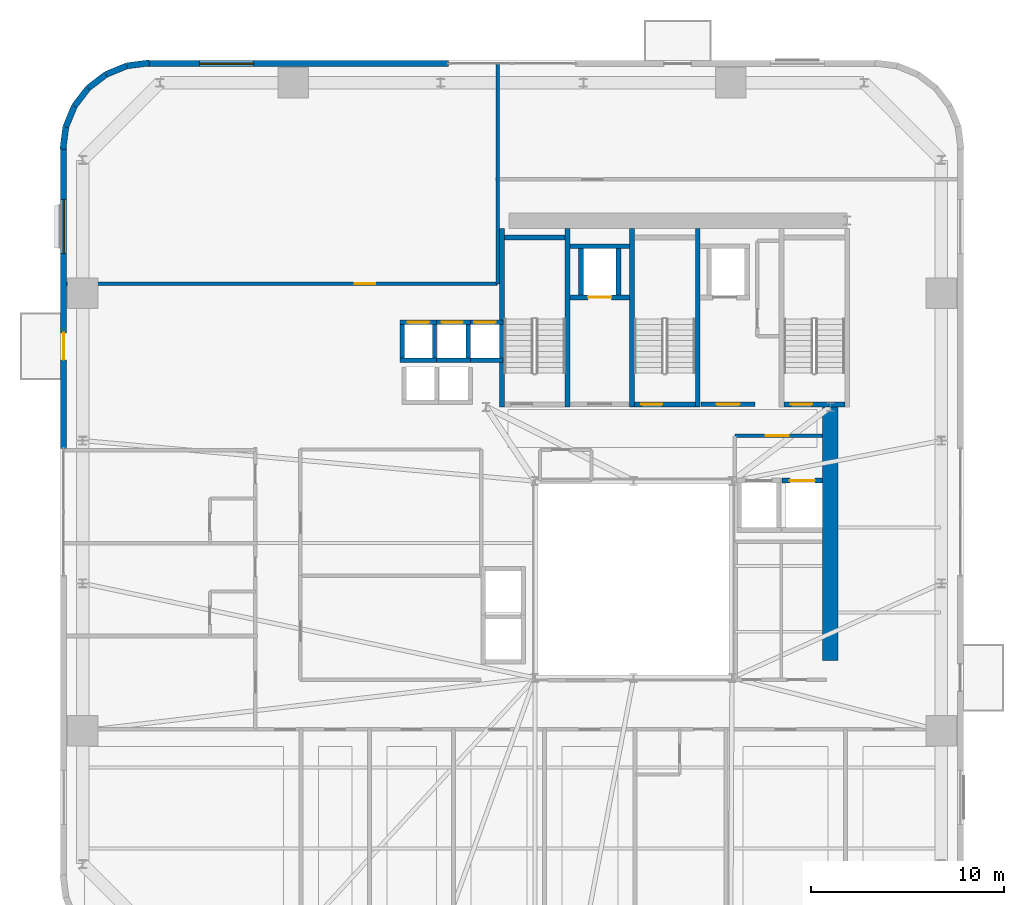
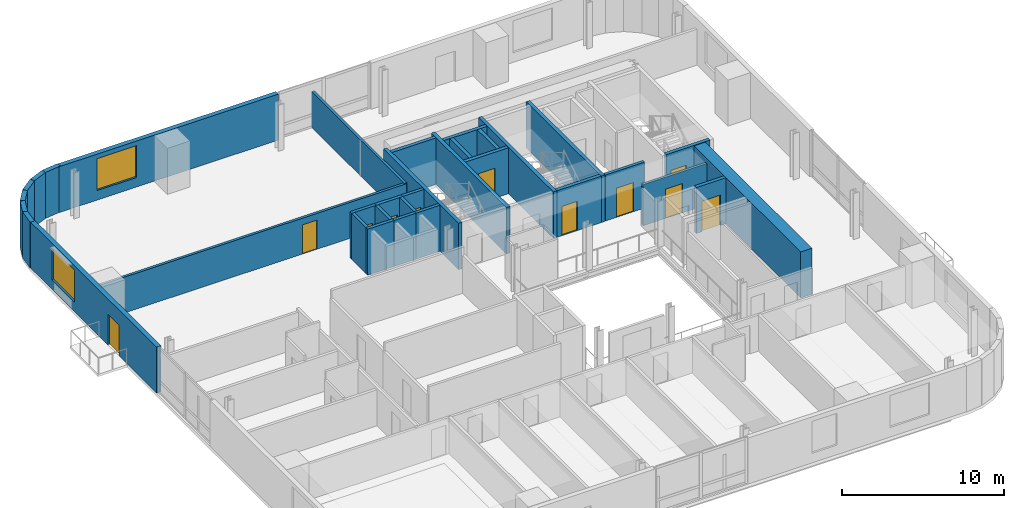
# One storey, part 8 of 11: 34 walls, 11 doors, 2 windows, 13 openings.
"""IFC4 building model written with IfcOpenShell, lengths in metres."""

import ifcopenshell
import ifcopenshell.guid

model = None  # the IFC model being written
_history = None  # IfcOwnerHistory: only IFC2X3 demands one
_inside = {}  # id of a spatial element -> (the spatial element, [elements in it])
_under = {}  # id of a project, library or spatial element -> (it, [spatial elements below it])
_declared = {}  # id of a project -> (the project, [libraries it declares])
_typed = {}  # id of a type object -> (the type object, [elements of that type])
_made_of = {}  # id of a material, layer set ... -> (it, [elements and type objects made of it])


def new_model(schema):
    """Start an empty IFC model of exactly this schema.

    Asked for "IFC4X3", IfcOpenShell would pick the latest addendum, in which some entities
    have other attributes; the version numbers below select the first issue.
    IFC2X3 requires an IfcOwnerHistory on every rooted entity: one is made here for all.
    """
    global model, _history
    if schema == "IFC4X3":
        model = ifcopenshell.file(schema_version=(4, 3, 0, 0))
    else:
        model = ifcopenshell.file(schema=schema)
    _inside.clear()
    _under.clear()
    _declared.clear()
    _typed.clear()
    _made_of.clear()
    _history = None
    if model.schema == "IFC2X3":
        org = make("IfcOrganization", Name="unknown")
        user = make(
            "IfcPersonAndOrganization",
            ThePerson=make("IfcPerson", FamilyName="unknown"),
            TheOrganization=org,
        )
        app = make(
            "IfcApplication",
            ApplicationDeveloper=org,
            Version="unknown",
            ApplicationFullName="unknown",
            ApplicationIdentifier="unknown",
        )
        _history = make(
            "IfcOwnerHistory",
            OwningUser=user,
            OwningApplication=app,
            ChangeAction="ADDED",
            CreationDate=0,
        )
    return model


def make(cls, **values):
    """One entity of the class cls with the attributes given. An attribute that is None is left unset."""
    return model.create_entity(
        cls, **{name: value for name, value in values.items() if value is not None}
    )


def rooted(cls, **values):
    """An entity with a GlobalId (a new one), such as an element, a storey or a relation."""
    return make(cls, GlobalId=ifcopenshell.guid.new(), OwnerHistory=_history, **values)


def si_unit(unit_type, name, prefix=None):
    """IfcSIUnit, for example si_unit("LENGTHUNIT", "METRE", prefix="MILLI")."""
    return make("IfcSIUnit", UnitType=unit_type, Prefix=prefix, Name=name)


def assignment(units):
    """IfcUnitAssignment: the units of a project."""
    return None if units is None else make("IfcUnitAssignment", Units=units)


def point(xyz):
    """IfcCartesianPoint."""
    return None if xyz is None else make("IfcCartesianPoint", Coordinates=xyz)


def direction(xyz):
    """IfcDirection."""
    return None if xyz is None else make("IfcDirection", DirectionRatios=xyz)


def frame(location, z_axis=None, x_axis=None):
    """IfcAxis2Placement3D, a coordinate frame: its origin and axes. An axis left out is left unset."""
    return make(
        "IfcAxis2Placement3D",
        Location=point(location),
        Axis=direction(z_axis),
        RefDirection=direction(x_axis),
    )


def frame_2d(location, x_axis=None):
    """IfcAxis2Placement2D, a coordinate frame in the plane: its origin and x axis."""
    return make(
        "IfcAxis2Placement2D", Location=point(location), RefDirection=direction(x_axis)
    )


def origin():
    """The frame at (0, 0, 0) with its axes left unset."""
    return frame((0.0, 0.0, 0.0))


def place(relative_to, where):
    """IfcLocalPlacement: puts the frame where relative to a parent placement (None: the world)."""
    return make(
        "IfcLocalPlacement", PlacementRelTo=relative_to, RelativePlacement=where
    )


def context(
    kind, dimensions, precision=None, world=None, true_north=None, identifier=None
):
    """IfcGeometricRepresentationContext, for example the 3D "Model" context."""
    return make(
        "IfcGeometricRepresentationContext",
        ContextIdentifier=identifier,
        ContextType=kind,
        CoordinateSpaceDimension=dimensions,
        Precision=precision,
        WorldCoordinateSystem=world,
        TrueNorth=true_north,
    )


def subcontext(parent, identifier, kind, view, scale=None):
    """IfcGeometricRepresentationSubContext, for example "Body" below "Model"."""
    return make(
        "IfcGeometricRepresentationSubContext",
        ContextIdentifier=identifier,
        ContextType=kind,
        ParentContext=parent,
        TargetScale=scale,
        TargetView=view,
    )


def project(units=None, contexts=None):
    """IfcProject with its units and contexts."""
    return rooted(
        "IfcProject",
        Name="project",
        RepresentationContexts=contexts,
        UnitsInContext=assignment(units),
    )


def spatial(cls, under=None, at=None, **own):
    """A site, building, storey or space (cls), placed at a placement, below another one or the project."""
    s = rooted(cls, ObjectPlacement=at, **own)
    if under is not None:
        _under.setdefault(under.id(), (under, []))[1].append(s)
    return s


def profile(cls, at=None, kind="AREA", **sizes):
    """A parametric profile (cls). Its sizes go by their IFC names, for example OverallWidth=200.0."""
    return make(cls, ProfileType=kind, Position=at, **sizes)


def rectangle(**sizes):
    """IfcRectangleProfileDef."""
    return profile("IfcRectangleProfileDef", **sizes)


def extrude(swept, where, along, depth):
    """IfcExtrudedAreaSolid: the profile swept, set in the frame where, extruded along a direction by depth."""
    return make(
        "IfcExtrudedAreaSolid",
        SweptArea=swept,
        Position=where,
        ExtrudedDirection=direction(along),
        Depth=depth,
    )


def shape(context_of_items, identifier, shape_type, items):
    """IfcShapeRepresentation: the items that make up one representation, for example the "Body"."""
    return make(
        "IfcShapeRepresentation",
        ContextOfItems=context_of_items,
        RepresentationIdentifier=identifier,
        RepresentationType=shape_type,
        Items=items,
    )


def source(mapping_origin, context_of_items, identifier, shape_type, items):
    """IfcRepresentationMap: a shape defined once, which mapped items show again and again."""
    return make(
        "IfcRepresentationMap",
        MappingOrigin=mapping_origin,
        MappedRepresentation=shape(context_of_items, identifier, shape_type, items),
    )


def transform(
    local_origin,
    x_axis=None,
    y_axis=None,
    z_axis=None,
    scale=None,
    scale2=None,
    scale3=None,
    uniform=True,
):
    """IfcCartesianTransformationOperator3D, or its non-uniform kind. x_axis, y_axis, z_axis: its Axis1, 2, 3."""
    if uniform:
        return make(
            "IfcCartesianTransformationOperator3D",
            Axis1=direction(x_axis),
            Axis2=direction(y_axis),
            LocalOrigin=point(local_origin),
            Scale=scale,
            Axis3=direction(z_axis),
        )
    return make(
        "IfcCartesianTransformationOperator3DnonUniform",
        Axis1=direction(x_axis),
        Axis2=direction(y_axis),
        LocalOrigin=point(local_origin),
        Scale=scale,
        Axis3=direction(z_axis),
        Scale2=scale2,
        Scale3=scale3,
    )


def mapped(mapping_source, mapping_target):
    """IfcMappedItem: shows the shape of a source again, moved by a transform."""
    return make(
        "IfcMappedItem", MappingSource=mapping_source, MappingTarget=mapping_target
    )


def material(Name=None, Category=None):
    """IfcMaterial."""
    return make("IfcMaterial", Name=Name, Category=Category)


def layer(
    of_material, thickness, ventilated=None, Name=None, Category=None, Priority=None
):
    """IfcMaterialLayer: one layer of a wall or slab, of a material (None: an air gap)."""
    return make(
        "IfcMaterialLayer",
        Material=of_material,
        LayerThickness=thickness,
        IsVentilated=ventilated,
        Name=Name,
        Category=Category,
        Priority=Priority,
    )


def layer_set(layers, Name=None):
    """IfcMaterialLayerSet."""
    return make("IfcMaterialLayerSet", MaterialLayers=layers, LayerSetName=Name)


def made_of(thing, what):
    """Note that an element or type object is made of a material, layer set ...; save() writes the relation."""
    if what is not None:
        _made_of.setdefault(what.id(), (what, []))[1].append(thing)
    return thing


def type_object(cls, material=None, **own):
    """A type object (cls), such as IfcWallType, which elements share."""
    return made_of(rooted(cls, **own), material)


def element(
    cls,
    number,
    at=None,
    inside=None,
    cuts=None,
    type_object=None,
    material=None,
    context=None,
    identifier="Body",
    shape_type=None,
    held_by="IfcProductDefinitionShape",
    body=None,
    shapes=None,
    **own,
):
    """One element of the class cls, such as IfcWall. Its Tag is "e" and its number.

    at: its placement. inside: the storey or other place that contains it. cuts: it is an
    opening in that element (IfcRelVoidsElement). A single representation is given by context,
    identifier, shape_type and body (its items); several are given by shapes. held_by: the class
    of the entity that holds the representations. save() writes the other relations.
    """
    e = rooted(cls, Tag="e%d" % number, ObjectPlacement=at, **own)
    if body is not None:
        shapes = [shape(context, identifier, shape_type, body)]
    if shapes is not None:
        e.Representation = make(held_by, Representations=shapes)
    if inside is not None:
        _inside.setdefault(inside.id(), (inside, []))[1].append(e)
    if cuts is not None:
        rooted(
            "IfcRelVoidsElement", RelatingBuildingElement=cuts, RelatedOpeningElement=e
        )
    if type_object is not None:
        _typed.setdefault(type_object.id(), (type_object, []))[1].append(e)
    return made_of(e, material)


def fill(opening, filler):
    """IfcRelFillsElement: the door or window that sits in an opening."""
    return rooted(
        "IfcRelFillsElement",
        RelatingOpeningElement=opening,
        RelatedBuildingElement=filler,
    )


def aggregate(whole, parts):
    """IfcRelAggregates: a whole, such as a stair, and the parts it consists of."""
    return rooted("IfcRelAggregates", RelatingObject=whole, RelatedObjects=parts)


def save(model, path):
    """Write the relations noted so far, then the file.

    IfcRelAggregates (storeys below a building ...), IfcRelContainedInSpatialStructure (elements
    in a storey), IfcRelDefinesByType, IfcRelAssociatesMaterial and IfcRelDeclares: one each for
    every whole, place, type object, material and project.
    """
    for whole, parts in _under.values():
        aggregate(whole, parts)
    for where, things in _inside.values():
        rooted(
            "IfcRelContainedInSpatialStructure",
            RelatedElements=things,
            RelatingStructure=where,
        )
    for kind, things in _typed.values():
        rooted("IfcRelDefinesByType", RelatedObjects=things, RelatingType=kind)
    for what, things in _made_of.values():
        rooted("IfcRelAssociatesMaterial", RelatedObjects=things, RelatingMaterial=what)
    for by, libraries in _declared.values():
        rooted("IfcRelDeclares", RelatingContext=by, RelatedDefinitions=libraries)
    model.write(path)


model = new_model("IFC4")

# Units and contexts
model_context = context("Model", 3, precision=1e-05, world=origin(), true_north=direction((0.0, 1.0)))
body_context = subcontext(model_context, "Body", "Model", "MODEL_VIEW")
ifc_project = project(units=[si_unit("LENGTHUNIT", "METRE"), si_unit("AREAUNIT", "SQUARE_METRE"), si_unit("VOLUMEUNIT", "CUBIC_METRE"), si_unit("PLANEANGLEUNIT", "RADIAN"), si_unit("MASSUNIT", "GRAM", prefix="KILO")], contexts=[model_context])

# Site, building, storey
site_placement = place(None, origin())
site = spatial("IfcSite", under=ifc_project, at=site_placement, CompositionType="ELEMENT")
building_placement = place(site_placement, origin())
building = spatial("IfcBuilding", under=site, at=building_placement, Name="Vardaveli Station Tower", CompositionType="ELEMENT")
storey_placement = place(building_placement, frame((0.0, 0.0, 155.699951171875)))
storey = spatial("IfcBuildingStorey", under=building, at=storey_placement, Name="L40", CompositionType="ELEMENT", Elevation=155.699951171875)

# Wall
ifc_material_1 = material(Name="Concrete C50/60", Category="concrete")
ifc_layer_1 = layer(ifc_material_1, 0.800048828125, Name="Concrete C50/60")
ifc_layer_set_1 = layer_set([ifc_layer_1], Name="Concrete C50/60")
wall_type_1 = type_object("IfcWallType", Name="WAL-CORE-800", PredefinedType="SHEAR", material=ifc_layer_set_1)
shared_shape_1 = source(origin(), body_context, "Body", "SweptSolid", [
    extrude(rectangle(XDim=13.14990234375, YDim=0.800048828125, at=frame_2d((6.574951171875, 0.0))), origin(), (0.0, 0.0, 1.0), 3.4599609375),
])
wall_1_placement = place(storey_placement, frame((46.5, 17.5, 0.0), z_axis=(0.0, 0.0, 1.0), x_axis=(0.0, 1.0, 0.0)))
element("IfcWall", 1, at=wall_1_placement, inside=storey, type_object=wall_type_1, Name="SW-L40-EAST2", PredefinedType="SHEAR", context=body_context, shape_type="MappedRepresentation", body=[
    mapped(shared_shape_1, transform((0.0, 0.0, 0.0), scale=1.0)),
])

# Wall, opening, window
ifc_material_2 = material(Name="Precast concrete C45/55", Category="concrete")
ifc_layer_2 = layer(ifc_material_2, 0.320068359375, Name="Precast concrete C45/55")
ifc_layer_set_2 = layer_set([ifc_layer_2], Name="Precast concrete C45/55")
wall_type_2 = type_object("IfcWallType", Name="WAL-EXT-STONE-320", PredefinedType="SOLIDWALL", material=ifc_layer_set_2)
shared_shape_2 = source(origin(), body_context, "Body", "SweptSolid", [
    extrude(rectangle(XDim=15.599853515625, YDim=0.320068359375, at=frame_2d((7.7998046875, 0.0))), origin(), (0.0, 0.0, 1.0), 3.4599609375),
])
wall_2_placement = place(storey_placement, frame((26.699951171875, 48.43994140625, 0.0), z_axis=(0.0, 0.0, 1.0), x_axis=(-1.0, 0.0, 0.0)))
wall_2 = element("IfcWall", 2, at=wall_2_placement, inside=storey, type_object=wall_type_2, Name="EW-L40-N2", PredefinedType="SOLIDWALL", context=body_context, shape_type="MappedRepresentation", body=[
    mapped(shared_shape_2, transform((0.0, 0.0, 0.0), scale=1.0)),
])
shared_shape_3 = source(origin(), body_context, "Body", "SweptSolid", [
    extrude(rectangle(XDim=2.800048828125, YDim=2.39990234375, at=frame_2d((1.39990234375, 1.199951171875))), frame((0.0, 0.169921875, 0.0), z_axis=(0.0, -1.0, 0.0), x_axis=(1.0, 0.0, 0.0)), (0.0, 0.0, 1.0), 0.340087890625),
])
opening_1_placement = place(wall_2_placement, frame((10.094970703125, 0.0, 0.719970703125)))
opening_1 = element("IfcOpeningElement", 3, at=opening_1_placement, cuts=wall_2, Name="Opening W-04", PredefinedType="OPENING", context=body_context, shape_type="MappedRepresentation", body=[
    mapped(shared_shape_3, transform((0.0, 0.0, 0.0), scale=1.0)),
])
ifc_material_3 = material(Name="Low-E solar-control glass", Category="glass")
window_type = type_object("IfcWindowType", Name="WIN-SUITE-2800x2400", PartitioningType="SINGLE_PANEL", PredefinedType="WINDOW", material=ifc_material_3)
shared_shape_4 = source(origin(), body_context, "Body", "SweptSolid", [
    extrude(rectangle(XDim=2.800048828125, YDim=2.39990234375, at=frame_2d((1.39990234375, 1.199951171875))), frame((0.0, 0.030029296875, 0.0), z_axis=(0.0, -1.0, 0.0), x_axis=(1.0, 0.0, 0.0)), (0.0, 0.0, 1.0), 0.06005859375),
])
window_1_placement = place(opening_1_placement, origin())
window_1 = element("IfcWindow", 4, at=window_1_placement, inside=storey, type_object=window_type, Name="WN-L40-N2", OverallHeight=2.39990234375, OverallWidth=2.800048828125, PartitioningType="SINGLE_PANEL", PredefinedType="WINDOW", context=body_context, shape_type="MappedRepresentation", body=[
    mapped(shared_shape_4, transform((0.0, 0.0, 0.0), scale=1.0)),
])
fill(opening_1, window_1)

# Wall, openings, door, window
shared_shape_5 = source(origin(), body_context, "Body", "SweptSolid", [
    extrude(rectangle(XDim=15.60009765625, YDim=0.320068359375, at=frame_2d((7.800048828125, 0.0))), origin(), (0.0, 0.0, 1.0), 3.4599609375),
])
wall_3_placement = place(storey_placement, frame((6.760009765625, 44.10009765625, 0.0), z_axis=(0.0, 0.0, 1.0), x_axis=(0.0, -1.0, 0.0)))
wall_3 = element("IfcWall", 5, at=wall_3_placement, inside=storey, type_object=wall_type_2, Name="EW-L40-W1", PredefinedType="SOLIDWALL", context=body_context, shape_type="MappedRepresentation", body=[
    mapped(shared_shape_5, transform((0.0, 0.0, 0.0), scale=1.0)),
])
shared_shape_6 = source(origin(), body_context, "Body", "SweptSolid", [
    extrude(rectangle(XDim=1.39990234375, YDim=2.300048828125, at=frame_2d((0.699951171875, 1.14990234375))), frame((0.0, 0.169921875, 0.0), z_axis=(0.0, -1.0, 0.0), x_axis=(1.0, 0.0, 0.0)), (0.0, 0.0, 1.0), 0.340087890625),
])
opening_2_placement = place(wall_3_placement, frame((9.6103515625, 0.0, 0.0)))
opening_2 = element("IfcOpeningElement", 6, at=opening_2_placement, cuts=wall_3, Name="Opening D-09", PredefinedType="OPENING", context=body_context, shape_type="MappedRepresentation", body=[
    mapped(shared_shape_6, transform((0.0, 0.0, 0.0), scale=1.0)),
])
opening_3_placement = place(wall_3_placement, frame((2.705078125, 0.0, 0.719970703125)))
opening_3 = element("IfcOpeningElement", 7, at=opening_3_placement, cuts=wall_3, Name="Opening W-04", PredefinedType="OPENING", context=body_context, shape_type="MappedRepresentation", body=[
    mapped(shared_shape_3, transform((0.0, 0.0, 0.0), scale=1.0)),
])
ifc_material_4 = material(Name="Thermally broken aluminium glass", Category="aluminium")
door_type_1 = type_object("IfcDoorType", Name="DR-LOG-1400x2300", OperationType="DOUBLE_DOOR_SLIDING", PredefinedType="DOOR", material=ifc_material_4)
shared_shape_7 = source(origin(), body_context, "Body", "SweptSolid", [
    extrude(rectangle(XDim=1.39990234375, YDim=2.300048828125, at=frame_2d((0.699951171875, 1.14990234375))), frame((0.0, 0.02490234375, 0.0), z_axis=(0.0, -1.0, 0.0), x_axis=(1.0, 0.0, 0.0)), (0.0, 0.0, 1.0), 0.050048828125),
])
door_1_placement = place(opening_2_placement, frame((1.39990234375, 0.0, 0.0), z_axis=(0.0, 0.0, 1.0), x_axis=(-1.0, 0.0, 0.0)))
door_1 = element("IfcDoor", 8, at=door_1_placement, inside=storey, type_object=door_type_1, Name="DLG-L40-W", OperationType="DOUBLE_DOOR_SLIDING", OverallHeight=2.300048828125, OverallWidth=1.39990234375, PredefinedType="DOOR", context=body_context, shape_type="MappedRepresentation", body=[
    mapped(shared_shape_7, transform((0.0, 0.0, 0.0), scale=1.0)),
])
fill(opening_2, door_1)
window_2_placement = place(opening_3_placement, origin())
window_2 = element("IfcWindow", 9, at=window_2_placement, inside=storey, type_object=window_type, Name="WN-L40-W1", OverallHeight=2.39990234375, OverallWidth=2.800048828125, PartitioningType="SINGLE_PANEL", PredefinedType="WINDOW", context=body_context, shape_type="MappedRepresentation", body=[
    mapped(shared_shape_4, transform((0.0, 0.0, 0.0), scale=1.0)),
])
fill(opening_3, window_2)

# Walls
shared_shape_8 = source(origin(), body_context, "Body", "SweptSolid", [
    extrude(rectangle(XDim=1.1689453125, YDim=0.320068359375, at=frame_2d((0.58447265625, 0.0))), origin(), (0.0, 0.0, 1.0), 3.4599609375),
])
wall_4_placement = place(storey_placement, frame((8.03125, 47.1689453125, 0.0), z_axis=(0.0, 0.0, 1.0), x_axis=(-0.608387696831, -0.793639975269, 0.0)))
element("IfcWall", 10, at=wall_4_placement, inside=storey, type_object=wall_type_2, Name="EW-L40-CR4-4", PredefinedType="SOLIDWALL", context=body_context, shape_type="MappedRepresentation", body=[
    mapped(shared_shape_8, transform((0.0, 0.0, 0.0), scale=1.0)),
])
shared_shape_9 = source(origin(), body_context, "Body", "SweptSolid", [
    extrude(rectangle(XDim=1.168701171875, YDim=0.320068359375, at=frame_2d((0.58447265625, 0.0))), origin(), (0.0, 0.0, 1.0), 3.4599609375),
])
wall_5_placement = place(storey_placement, frame((8.958740234375, 47.8798828125, 0.0), z_axis=(0.0, 0.0, 1.0), x_axis=(-0.793663520347, -0.608356981114, 0.0)))
element("IfcWall", 11, at=wall_5_placement, inside=storey, type_object=wall_type_2, Name="EW-L40-CR4-3", PredefinedType="SOLIDWALL", context=body_context, shape_type="MappedRepresentation", body=[
    mapped(shared_shape_9, transform((0.0, 0.0, 0.0), scale=1.0)),
])
shared_shape_10 = source(origin(), body_context, "Body", "SweptSolid", [
    extrude(rectangle(XDim=1.17041015625, YDim=0.320068359375, at=frame_2d((0.585205078125, 0.0))), origin(), (0.0, 0.0, 1.0), 3.4599609375),
])
for number, where, z_axis, x_axis, name in (
    (12, (11.200439453125, 48.4755859375, 0.0), (0.0, 0.0, 1.0), (-0.991735963317, -0.128295670475, 0.0), "EW-L40-CR4-1"),
    (13, (6.87451171875, 45.16015625, 0.0), (0.0, 0.0, 1.0), (-0.128295670475, -0.991735963317, 0.0), "EW-L40-CR4-6"),
):
    element("IfcWall", number, at=place(storey_placement, frame(where, z_axis=z_axis, x_axis=x_axis)), inside=storey, type_object=wall_type_2, Name=name, PredefinedType="SOLIDWALL", context=body_context, shape_type="MappedRepresentation", body=[
        mapped(shared_shape_10, transform((0.0, 0.0, 0.0), scale=1.0)),
    ])
shared_shape_11 = source(origin(), body_context, "Body", "SweptSolid", [
    extrude(rectangle(XDim=1.169189453125, YDim=0.320068359375, at=frame_2d((0.58447265625, 0.0))), origin(), (0.0, 0.0, 1.0), 3.4599609375),
])
for number, where, z_axis, x_axis, name in (
    (14, (10.039794921875, 48.325439453125, 0.0), (0.0, 0.0, 1.0), (-0.924552646638, -0.381054331552, 0.0), "EW-L40-CR4-2"),
    (15, (7.320068359375, 46.2412109375, 0.0), (0.0, 0.0, 1.0), (-0.381054331552, -0.924552646638, 0.0), "EW-L40-CR4-5"),
):
    element("IfcWall", number, at=place(storey_placement, frame(where, z_axis=z_axis, x_axis=x_axis)), inside=storey, type_object=wall_type_2, Name=name, PredefinedType="SOLIDWALL", context=body_context, shape_type="MappedRepresentation", body=[
        mapped(shared_shape_11, transform((0.0, 0.0, 0.0), scale=1.0)),
    ])
ifc_material_5 = material(Name="Concrete C40/50", Category="concrete")
ifc_layer_3 = layer(ifc_material_5, 0.25, Name="Concrete C40/50")
ifc_layer_set_3 = layer_set([ifc_layer_3], Name="Concrete C40/50")
wall_type_3 = type_object("IfcWallType", Name="WAL-SHAFT-250", PredefinedType="SOLIDWALL", material=ifc_layer_set_3)
shared_shape_12 = source(origin(), body_context, "Body", "SweptSolid", [
    extrude(rectangle(XDim=9.25, YDim=0.25, at=frame_2d((4.625, 0.0))), origin(), (0.0, 0.0, 1.0), 3.5),
])
for number, where, z_axis, x_axis, name in (
    (16, (29.47509765625, 30.64990234375, 0.0), (0.0, 0.0, 1.0), (0.0, 1.0, 0.0), "W-L40-ST-1W"),
    (17, (32.875, 30.64990234375, 0.0), (0.0, 0.0, 1.0), (0.0, 1.0, 0.0), "W-L40-ST-1E"),
    (18, (36.22509765625, 30.64990234375, 0.0), (0.0, 0.0, 1.0), (0.0, 1.0, 0.0), "W-L40-ST-2W"),
    (19, (39.625, 30.64990234375, 0.0), (0.0, 0.0, 1.0), (0.0, 1.0, 0.0), "W-L40-ST-2E"),
):
    element("IfcWall", number, at=place(storey_placement, frame(where, z_axis=z_axis, x_axis=x_axis)), inside=storey, type_object=wall_type_3, Name=name, PredefinedType="SOLIDWALL", context=body_context, shape_type="MappedRepresentation", body=[
        mapped(shared_shape_12, transform((0.0, 0.0, 0.0), scale=1.0)),
    ])
shared_shape_13 = source(origin(), body_context, "Body", "SweptSolid", [
    extrude(rectangle(XDim=3.14990234375, YDim=0.25, at=frame_2d((1.574951171875, 0.0))), origin(), (0.0, 0.0, 1.0), 3.5),
])
wall_6_placement = place(storey_placement, frame((29.60009765625, 39.425048828125, 0.0), z_axis=(0.0, 0.0, 1.0), x_axis=(1.0, 0.0, 0.0)))
element("IfcWall", 20, at=wall_6_placement, inside=storey, type_object=wall_type_3, Name="W-L40-ST-1N", PredefinedType="SOLIDWALL", context=body_context, shape_type="MappedRepresentation", body=[
    mapped(shared_shape_13, transform((0.0, 0.0, 0.0), scale=1.0)),
])

# Wall, opening, door
wall_7_placement = place(storey_placement, frame((36.35009765625, 30.77490234375, 0.0), z_axis=(0.0, 0.0, 1.0), x_axis=(1.0, 0.0, 0.0)))
wall_7 = element("IfcWall", 21, at=wall_7_placement, inside=storey, type_object=wall_type_3, Name="W-L40-ST-2S", PredefinedType="SOLIDWALL", context=body_context, shape_type="MappedRepresentation", body=[
    mapped(shared_shape_13, transform((0.0, 0.0, 0.0), scale=1.0)),
])
shared_shape_14 = source(origin(), body_context, "Body", "SweptSolid", [
    extrude(rectangle(XDim=1.10009765625, YDim=2.199951171875, at=frame_2d((0.550048828125, 1.10009765625))), frame((0.0, 0.135009765625, 0.0), z_axis=(0.0, -1.0, 0.0), x_axis=(1.0, 0.0, 0.0)), (0.0, 0.0, 1.0), 0.27001953125),
])
opening_4_placement = place(wall_7_placement, frame((0.35009765625, 0.0, 0.0)))
opening_4 = element("IfcOpeningElement", 22, at=opening_4_placement, cuts=wall_7, Name="Opening D-04", PredefinedType="OPENING", context=body_context, shape_type="MappedRepresentation", body=[
    mapped(shared_shape_14, transform((0.0, 0.0, 0.0), scale=1.0)),
])
ifc_material_6 = material(Name="Steel smokeproof fire doorset", Category="steel")
door_type_2 = type_object("IfcDoorType", Name="DR-ST-1100x2200", OperationType="NOTDEFINED", PredefinedType="DOOR", material=ifc_material_6)
shared_shape_15 = source(origin(), body_context, "Body", "SweptSolid", [
    extrude(rectangle(XDim=1.10009765625, YDim=2.199951171875, at=frame_2d((0.550048828125, 1.10009765625))), frame((0.0, 0.02490234375, 0.0), z_axis=(0.0, -1.0, 0.0), x_axis=(1.0, 0.0, 0.0)), (0.0, 0.0, 1.0), 0.050048828125),
])
door_2_placement = place(opening_4_placement, origin())
door_2 = element("IfcDoor", 23, at=door_2_placement, inside=storey, type_object=door_type_2, Name="DST-2-L40", OperationType="SINGLE_SWING_LEFT", OverallHeight=2.199951171875, OverallWidth=1.10009765625, PredefinedType="DOOR", context=body_context, shape_type="MappedRepresentation", body=[
    mapped(shared_shape_15, transform((0.0, 0.0, 0.0), scale=1.0)),
])
fill(opening_4, door_2)

wall_8_placement = place(storey_placement, frame((44.10009765625, 30.77490234375, 0.0), z_axis=(0.0, 0.0, 1.0), x_axis=(1.0, 0.0, 0.0)))
wall_8 = element("IfcWall", 24, at=wall_8_placement, inside=storey, type_object=wall_type_3, Name="W-L40-ST-3S", PredefinedType="SOLIDWALL", context=body_context, shape_type="MappedRepresentation", body=[
    mapped(shared_shape_13, transform((0.0, 0.0, 0.0), scale=1.0)),
])
opening_5_placement = place(wall_8_placement, frame((0.35009765625, 0.0, 0.0)))
opening_5 = element("IfcOpeningElement", 25, at=opening_5_placement, cuts=wall_8, Name="Opening D-04", PredefinedType="OPENING", context=body_context, shape_type="MappedRepresentation", body=[
    mapped(shared_shape_14, transform((0.0, 0.0, 0.0), scale=1.0)),
])
door_3_placement = place(opening_5_placement, origin())
door_3 = element("IfcDoor", 26, at=door_3_placement, inside=storey, type_object=door_type_2, Name="DST-3-L40", OperationType="SINGLE_SWING_LEFT", OverallHeight=2.199951171875, OverallWidth=1.10009765625, PredefinedType="DOOR", context=body_context, shape_type="MappedRepresentation", body=[
    mapped(shared_shape_15, transform((0.0, 0.0, 0.0), scale=1.0)),
])
fill(opening_5, door_3)

ifc_layer_4 = layer(ifc_material_5, 0.219970703125, Name="Concrete C40/50")
ifc_layer_set_4 = layer_set([ifc_layer_4], Name="Concrete C40/50")
wall_type_4 = type_object("IfcWallType", Name="WAL-FFLOBBY-220", PredefinedType="SOLIDWALL", material=ifc_layer_set_4)
shared_shape_16 = source(origin(), body_context, "Body", "SweptSolid", [
    extrude(rectangle(XDim=2.800048828125, YDim=0.219970703125, at=frame_2d((1.39990234375, 0.0))), origin(), (0.0, 0.0, 1.0), 3.4599609375),
])
wall_9_placement = place(storey_placement, frame((39.800048828125, 30.780029296875, 0.0), z_axis=(0.0, 0.0, 1.0), x_axis=(1.0, 0.0, 0.0)))
wall_9 = element("IfcWall", 27, at=wall_9_placement, inside=storey, type_object=wall_type_4, Name="W-L40-FFL2S", PredefinedType="SOLIDWALL", context=body_context, shape_type="MappedRepresentation", body=[
    mapped(shared_shape_16, transform((0.0, 0.0, 0.0), scale=1.0)),
])
shared_shape_17 = source(origin(), body_context, "Body", "SweptSolid", [
    extrude(rectangle(XDim=1.199951171875, YDim=2.199951171875, at=frame_2d((0.60009765625, 1.10009765625))), frame((0.0, 0.1201171875, 0.0), z_axis=(0.0, -1.0, 0.0), x_axis=(1.0, 0.0, 0.0)), (0.0, 0.0, 1.0), 0.239990234375),
])
opening_6_placement = place(wall_9_placement, frame((0.800048828125, 0.0, 0.0)))
opening_6 = element("IfcOpeningElement", 28, at=opening_6_placement, cuts=wall_9, Name="Opening D-03", PredefinedType="OPENING", context=body_context, shape_type="MappedRepresentation", body=[
    mapped(shared_shape_17, transform((0.0, 0.0, 0.0), scale=1.0)),
])
door_type_3 = type_object("IfcDoorType", Name="DR-FFL-1200x2200", OperationType="NOTDEFINED", PredefinedType="DOOR", material=ifc_material_6)
shared_shape_18 = source(origin(), body_context, "Body", "SweptSolid", [
    extrude(rectangle(XDim=1.199951171875, YDim=2.199951171875, at=frame_2d((0.60009765625, 1.10009765625))), frame((0.0, 0.02490234375, 0.0), z_axis=(0.0, -1.0, 0.0), x_axis=(1.0, 0.0, 0.0)), (0.0, 0.0, 1.0), 0.050048828125),
])
door_4_placement = place(opening_6_placement, origin())
door_4 = element("IfcDoor", 29, at=door_4_placement, inside=storey, type_object=door_type_3, Name="DFFL2-L40", OperationType="SINGLE_SWING_RIGHT", OverallHeight=2.199951171875, OverallWidth=1.199951171875, PredefinedType="DOOR", context=body_context, shape_type="MappedRepresentation", body=[
    mapped(shared_shape_18, transform((0.0, 0.0, 0.0), scale=1.0)),
])
fill(opening_6, door_4)

# Wall
shared_shape_19 = source(origin(), body_context, "Body", "SweptSolid", [
    extrude(rectangle(XDim=1.889892578125, YDim=0.219970703125, at=frame_2d((0.94482421875, 0.0))), origin(), (0.0, 0.0, 1.0), 3.4599609375),
])
wall_10_placement = place(storey_placement, frame((24.205078125, 33.06494140625, 0.0), z_axis=(0.0, 0.0, 1.0), x_axis=(1.0, 0.0, 0.0)))
element("IfcWall", 30, at=wall_10_placement, inside=storey, type_object=wall_type_4, Name="SHW-HL2-01-L40-S", PredefinedType="SOLIDWALL", context=body_context, shape_type="MappedRepresentation", body=[
    mapped(shared_shape_19, transform((0.0, 0.0, 0.0), scale=1.0)),
])

# Wall, opening, door
wall_11_placement = place(storey_placement, frame((24.205078125, 35.034912109375, 0.0), z_axis=(0.0, 0.0, 1.0), x_axis=(1.0, 0.0, 0.0)))
wall_11 = element("IfcWall", 31, at=wall_11_placement, inside=storey, type_object=wall_type_4, Name="SHW-HL2-01-L40-N", PredefinedType="SOLIDWALL", context=body_context, shape_type="MappedRepresentation", body=[
    mapped(shared_shape_19, transform((0.0, 0.0, 0.0), scale=1.0)),
])
shared_shape_20 = source(origin(), body_context, "Body", "SweptSolid", [
    extrude(rectangle(XDim=1.10009765625, YDim=2.199951171875, at=frame_2d((0.550048828125, 1.10009765625))), frame((0.0, 0.1201171875, 0.0), z_axis=(0.0, -1.0, 0.0), x_axis=(1.0, 0.0, 0.0)), (0.0, 0.0, 1.0), 0.239990234375),
])
opening_7_placement = place(wall_11_placement, frame((0.39501953125, 0.0, 0.0)))
opening_7 = element("IfcOpeningElement", 32, at=opening_7_placement, cuts=wall_11, Name="Opening LD-01", PredefinedType="OPENING", context=body_context, shape_type="MappedRepresentation", body=[
    mapped(shared_shape_20, transform((0.0, 0.0, 0.0), scale=1.0)),
])
ifc_material_7 = material(Name="Brushed stainless steel", Category="steel")
door_type_4 = type_object("IfcDoorType", Name="DR-LD-1100x2200", OperationType="DOUBLE_DOOR_SLIDING", PredefinedType="DOOR", material=ifc_material_7)
door_5_placement = place(opening_7_placement, origin())
door_5 = element("IfcDoor", 33, at=door_5_placement, inside=storey, type_object=door_type_4, Name="LD-HL2-01-L40", OperationType="DOUBLE_DOOR_SLIDING", OverallHeight=2.199951171875, OverallWidth=1.10009765625, PredefinedType="DOOR", context=body_context, shape_type="MappedRepresentation", body=[
    mapped(shared_shape_15, transform((0.0, 0.0, 0.0), scale=1.0)),
])
fill(opening_7, door_5)

# Wall
wall_12_placement = place(storey_placement, frame((25.955078125, 33.06494140625, 0.0), z_axis=(0.0, 0.0, 1.0), x_axis=(1.0, 0.0, 0.0)))
element("IfcWall", 34, at=wall_12_placement, inside=storey, type_object=wall_type_4, Name="SHW-HL2-02-L40-S", PredefinedType="SOLIDWALL", context=body_context, shape_type="MappedRepresentation", body=[
    mapped(shared_shape_19, transform((0.0, 0.0, 0.0), scale=1.0)),
])

# Wall, opening, door
wall_13_placement = place(storey_placement, frame((25.955078125, 35.034912109375, 0.0), z_axis=(0.0, 0.0, 1.0), x_axis=(1.0, 0.0, 0.0)))
wall_13 = element("IfcWall", 35, at=wall_13_placement, inside=storey, type_object=wall_type_4, Name="SHW-HL2-02-L40-N", PredefinedType="SOLIDWALL", context=body_context, shape_type="MappedRepresentation", body=[
    mapped(shared_shape_19, transform((0.0, 0.0, 0.0), scale=1.0)),
])
opening_8_placement = place(wall_13_placement, frame((0.39501953125, 0.0, 0.0)))
opening_8 = element("IfcOpeningElement", 36, at=opening_8_placement, cuts=wall_13, Name="Opening LD-01", PredefinedType="OPENING", context=body_context, shape_type="MappedRepresentation", body=[
    mapped(shared_shape_20, transform((0.0, 0.0, 0.0), scale=1.0)),
])
door_6_placement = place(opening_8_placement, origin())
door_6 = element("IfcDoor", 37, at=door_6_placement, inside=storey, type_object=door_type_4, Name="LD-HL2-02-L40", OperationType="DOUBLE_DOOR_SLIDING", OverallHeight=2.199951171875, OverallWidth=1.10009765625, PredefinedType="DOOR", context=body_context, shape_type="MappedRepresentation", body=[
    mapped(shared_shape_15, transform((0.0, 0.0, 0.0), scale=1.0)),
])
fill(opening_8, door_6)

# Wall
wall_14_placement = place(storey_placement, frame((27.655029296875, 33.06494140625, 0.0), z_axis=(0.0, 0.0, 1.0), x_axis=(1.0, 0.0, 0.0)))
element("IfcWall", 38, at=wall_14_placement, inside=storey, type_object=wall_type_4, Name="SHW-HL2-03-L40-S", PredefinedType="SOLIDWALL", context=body_context, shape_type="MappedRepresentation", body=[
    mapped(shared_shape_19, transform((0.0, 0.0, 0.0), scale=1.0)),
])

# Wall, opening, door
wall_15_placement = place(storey_placement, frame((27.655029296875, 35.034912109375, 0.0), z_axis=(0.0, 0.0, 1.0), x_axis=(1.0, 0.0, 0.0)))
wall_15 = element("IfcWall", 39, at=wall_15_placement, inside=storey, type_object=wall_type_4, Name="SHW-HL2-03-L40-N", PredefinedType="SOLIDWALL", context=body_context, shape_type="MappedRepresentation", body=[
    mapped(shared_shape_19, transform((0.0, 0.0, 0.0), scale=1.0)),
])
opening_9_placement = place(wall_15_placement, frame((0.39501953125, 0.0, 0.0)))
opening_9 = element("IfcOpeningElement", 40, at=opening_9_placement, cuts=wall_15, Name="Opening LD-01", PredefinedType="OPENING", context=body_context, shape_type="MappedRepresentation", body=[
    mapped(shared_shape_20, transform((0.0, 0.0, 0.0), scale=1.0)),
])
door_7_placement = place(opening_9_placement, origin())
door_7 = element("IfcDoor", 41, at=door_7_placement, inside=storey, type_object=door_type_4, Name="LD-HL2-03-L40", OperationType="DOUBLE_DOOR_SLIDING", OverallHeight=2.199951171875, OverallWidth=1.10009765625, PredefinedType="DOOR", context=body_context, shape_type="MappedRepresentation", body=[
    mapped(shared_shape_15, transform((0.0, 0.0, 0.0), scale=1.0)),
])
fill(opening_9, door_7)

# Walls
shared_shape_21 = source(origin(), body_context, "Body", "SweptSolid", [
    extrude(rectangle(XDim=1.75, YDim=0.219970703125, at=frame_2d((0.875, 0.0))), origin(), (0.0, 0.0, 1.0), 3.4599609375),
])
for number, where, z_axis, x_axis, name in (
    (42, (24.31494140625, 33.175048828125, 0.0), (0.0, 0.0, 1.0), (0.0, 1.0, 0.0), "SHW-HL2-01-L40-W"),
    (43, (25.985107421875, 33.175048828125, 0.0), (0.0, 0.0, 1.0), (0.0, 1.0, 0.0), "SHW-HL2-01-L40-E"),
    (44, (27.735107421875, 33.175048828125, 0.0), (0.0, 0.0, 1.0), (0.0, 1.0, 0.0), "SHW-HL2-02-L40-E"),
):
    element("IfcWall", number, at=place(storey_placement, frame(where, z_axis=z_axis, x_axis=x_axis)), inside=storey, type_object=wall_type_4, Name=name, PredefinedType="SOLIDWALL", context=body_context, shape_type="MappedRepresentation", body=[
        mapped(shared_shape_21, transform((0.0, 0.0, 0.0), scale=1.0)),
    ])

# Wall, opening, door
shared_shape_22 = source(origin(), body_context, "Body", "SweptSolid", [
    extrude(rectangle(XDim=3.10009765625, YDim=0.25, at=frame_2d((1.550048828125, 0.0))), origin(), (0.0, 0.0, 1.0), 3.4599609375),
])
wall_16_placement = place(storey_placement, frame((33.0, 36.324951171875, 0.0), z_axis=(0.0, 0.0, 1.0), x_axis=(1.0, 0.0, 0.0)))
wall_16 = element("IfcWall", 45, at=wall_16_placement, inside=storey, type_object=wall_type_3, Name="SHW-FFL-01-L40-S", PredefinedType="SOLIDWALL", context=body_context, shape_type="MappedRepresentation", body=[
    mapped(shared_shape_22, transform((0.0, 0.0, 0.0), scale=1.0)),
])
shared_shape_23 = source(origin(), body_context, "Body", "SweptSolid", [
    extrude(rectangle(XDim=1.199951171875, YDim=2.25, at=frame_2d((0.60009765625, 1.125))), frame((0.0, 0.135009765625, 0.0), z_axis=(0.0, -1.0, 0.0), x_axis=(1.0, 0.0, 0.0)), (0.0, 0.0, 1.0), 0.27001953125),
])
opening_10_placement = place(wall_16_placement, frame((0.949951171875, 0.0, 0.0)))
opening_10 = element("IfcOpeningElement", 46, at=opening_10_placement, cuts=wall_16, Name="Opening LD-02", PredefinedType="OPENING", context=body_context, shape_type="MappedRepresentation", body=[
    mapped(shared_shape_23, transform((0.0, 0.0, 0.0), scale=1.0)),
])
door_type_5 = type_object("IfcDoorType", Name="DR-LD-1200x2250", OperationType="DOUBLE_DOOR_SLIDING", PredefinedType="DOOR", material=ifc_material_7)
shared_shape_24 = source(origin(), body_context, "Body", "SweptSolid", [
    extrude(rectangle(XDim=1.199951171875, YDim=2.25, at=frame_2d((0.60009765625, 1.125))), frame((0.0, 0.02490234375, 0.0), z_axis=(0.0, -1.0, 0.0), x_axis=(1.0, 0.0, 0.0)), (0.0, 0.0, 1.0), 0.050048828125),
])
door_8_placement = place(opening_10_placement, origin())
door_8 = element("IfcDoor", 47, at=door_8_placement, inside=storey, type_object=door_type_5, Name="LD-FFL-01-L40", OperationType="DOUBLE_DOOR_SLIDING", OverallHeight=2.25, OverallWidth=1.199951171875, PredefinedType="DOOR", context=body_context, shape_type="MappedRepresentation", body=[
    mapped(shared_shape_24, transform((0.0, 0.0, 0.0), scale=1.0)),
])
fill(opening_10, door_8)

# Walls
wall_17_placement = place(storey_placement, frame((33.0, 38.97509765625, 0.0), z_axis=(0.0, 0.0, 1.0), x_axis=(1.0, 0.0, 0.0)))
element("IfcWall", 48, at=wall_17_placement, inside=storey, type_object=wall_type_3, Name="SHW-FFL-01-L40-N", PredefinedType="SOLIDWALL", context=body_context, shape_type="MappedRepresentation", body=[
    mapped(shared_shape_22, transform((0.0, 0.0, 0.0), scale=1.0)),
])
shared_shape_25 = source(origin(), body_context, "Body", "SweptSolid", [
    extrude(rectangle(XDim=2.400146484375, YDim=0.25, at=frame_2d((1.2001953125, 0.0))), origin(), (0.0, 0.0, 1.0), 3.4599609375),
])
for number, where, z_axis, x_axis, name in (
    (49, (33.574951171875, 36.449951171875, 0.0), (0.0, 0.0, 1.0), (0.0, 1.0, 0.0), "SHW-FFL-01-L40-W"),
    (50, (35.52490234375, 36.449951171875, 0.0), (0.0, 0.0, 1.0), (0.0, 1.0, 0.0), "SHW-FFL-01-L40-E"),
):
    element("IfcWall", number, at=place(storey_placement, frame(where, z_axis=z_axis, x_axis=x_axis)), inside=storey, type_object=wall_type_3, Name=name, PredefinedType="SOLIDWALL", context=body_context, shape_type="MappedRepresentation", body=[
        mapped(shared_shape_25, transform((0.0, 0.0, 0.0), scale=1.0)),
    ])

# Wall, opening, door
shared_shape_26 = source(origin(), body_context, "Body", "SweptSolid", [
    extrude(rectangle(XDim=2.10009765625, YDim=0.25, at=frame_2d((1.050048828125, 0.0))), origin(), (0.0, 0.0, 1.0), 3.4599609375),
])
wall_18_placement = place(storey_placement, frame((44.0, 26.824951171875, 0.0), z_axis=(0.0, 0.0, 1.0), x_axis=(1.0, 0.0, 0.0)))
wall_18 = element("IfcWall", 51, at=wall_18_placement, inside=storey, type_object=wall_type_3, Name="SHW-SRV-02-L40-N", PredefinedType="SOLIDWALL", context=body_context, shape_type="MappedRepresentation", body=[
    mapped(shared_shape_26, transform((0.0, 0.0, 0.0), scale=1.0)),
])
shared_shape_27 = source(origin(), body_context, "Body", "SweptSolid", [
    extrude(rectangle(XDim=1.300048828125, YDim=2.300048828125, at=frame_2d((0.64990234375, 1.14990234375))), frame((0.0, 0.135009765625, 0.0), z_axis=(0.0, -1.0, 0.0), x_axis=(1.0, 0.0, 0.0)), (0.0, 0.0, 1.0), 0.27001953125),
])
opening_11_placement = place(wall_18_placement, frame((0.39990234375, 0.0, 0.0)))
opening_11 = element("IfcOpeningElement", 52, at=opening_11_placement, cuts=wall_18, Name="Opening LD-03", PredefinedType="OPENING", context=body_context, shape_type="MappedRepresentation", body=[
    mapped(shared_shape_27, transform((0.0, 0.0, 0.0), scale=1.0)),
])
door_type_6 = type_object("IfcDoorType", Name="DR-LD-1300x2300", OperationType="DOUBLE_DOOR_SLIDING", PredefinedType="DOOR", material=ifc_material_7)
shared_shape_28 = source(origin(), body_context, "Body", "SweptSolid", [
    extrude(rectangle(XDim=1.300048828125, YDim=2.300048828125, at=frame_2d((0.64990234375, 1.14990234375))), frame((0.0, 0.02490234375, 0.0), z_axis=(0.0, -1.0, 0.0), x_axis=(1.0, 0.0, 0.0)), (0.0, 0.0, 1.0), 0.050048828125),
])
door_9_placement = place(opening_11_placement, origin())
door_9 = element("IfcDoor", 53, at=door_9_placement, inside=storey, type_object=door_type_6, Name="LD-SRV-02-L40", OperationType="DOUBLE_DOOR_SLIDING", OverallHeight=2.300048828125, OverallWidth=1.300048828125, PredefinedType="DOOR", context=body_context, shape_type="MappedRepresentation", body=[
    mapped(shared_shape_28, transform((0.0, 0.0, 0.0), scale=1.0)),
])
fill(opening_11, door_9)

ifc_material_8 = material(Name="Fire-rated gypsum stud partition")
ifc_layer_5 = layer(ifc_material_8, 0.179931640625, Name="Fire-rated gypsum stud partition")
ifc_layer_set_5 = layer_set([ifc_layer_5], Name="Fire-rated gypsum stud partition")
wall_type_5 = type_object("IfcWallType", Name="WAL-CORR-180", PredefinedType="PARTITIONING", material=ifc_layer_set_5)
shared_shape_29 = source(origin(), body_context, "Body", "SweptSolid", [
    extrude(rectangle(XDim=4.5478515625, YDim=0.179931640625, at=frame_2d((2.27392578125, 0.0))), origin(), (0.0, 0.0, 1.0), 3.092041015625),
])
wall_19_placement = place(storey_placement, frame((41.550048828125, 29.14990234375, 0.0), z_axis=(0.0, 0.0, 1.0), x_axis=(1.0, 0.0, 0.0)))
wall_19 = element("IfcWall", 54, at=wall_19_placement, inside=storey, type_object=wall_type_5, Name="W-L40-SVFN", PredefinedType="PARTITIONING", context=body_context, shape_type="MappedRepresentation", body=[
    mapped(shared_shape_29, transform((0.0, 0.0, 0.0), scale=1.0)),
])
shared_shape_30 = source(origin(), body_context, "Body", "SweptSolid", [
    extrude(rectangle(XDim=1.199951171875, YDim=2.199951171875, at=frame_2d((0.60009765625, 1.10009765625))), frame((0.0, 0.10009765625, 0.0), z_axis=(0.0, -1.0, 0.0), x_axis=(1.0, 0.0, 0.0)), (0.0, 0.0, 1.0), 0.199951171875),
])
opening_12_placement = place(wall_19_placement, frame((1.60009765625, 0.0, 0.0)))
opening_12 = element("IfcOpeningElement", 55, at=opening_12_placement, cuts=wall_19, Name="Opening D-03", PredefinedType="OPENING", context=body_context, shape_type="MappedRepresentation", body=[
    mapped(shared_shape_30, transform((0.0, 0.0, 0.0), scale=1.0)),
])
door_10_placement = place(opening_12_placement, origin())
door_10 = element("IfcDoor", 56, at=door_10_placement, inside=storey, type_object=door_type_3, Name="D-L40-SVF", OperationType="SINGLE_SWING_RIGHT", OverallHeight=2.199951171875, OverallWidth=1.199951171875, PredefinedType="DOOR", context=body_context, shape_type="MappedRepresentation", body=[
    mapped(shared_shape_18, transform((0.0, 0.0, 0.0), scale=1.0)),
])
fill(opening_12, door_10)

shared_shape_31 = source(origin(), body_context, "Body", "SweptSolid", [
    extrude(rectangle(XDim=22.327880859375, YDim=0.179931640625, at=frame_2d((11.1640625, 0.0))), origin(), (0.0, 0.0, 1.0), 2.7021484375),
])
wall_20_placement = place(storey_placement, frame((6.922119140625, 37.02001953125, 0.0), z_axis=(0.0, 0.0, 1.0), x_axis=(1.0, 0.0, 0.0)))
wall_20 = element("IfcWall", 57, at=wall_20_placement, inside=storey, type_object=wall_type_5, Name="W-L40-CNWS", PredefinedType="PARTITIONING", context=body_context, shape_type="MappedRepresentation", body=[
    mapped(shared_shape_31, transform((0.0, 0.0, 0.0), scale=1.0)),
])
shared_shape_32 = source(origin(), body_context, "Body", "SweptSolid", [
    extrude(rectangle(XDim=1.050048828125, YDim=2.199951171875, at=frame_2d((0.52490234375, 1.10009765625))), frame((0.0, 0.10009765625, 0.0), z_axis=(0.0, -1.0, 0.0), x_axis=(1.0, 0.0, 0.0)), (0.0, 0.0, 1.0), 0.199951171875),
])
opening_13_placement = place(wall_20_placement, frame((14.927978515625, 0.0, 0.0)))
opening_13 = element("IfcOpeningElement", 58, at=opening_13_placement, cuts=wall_20, Name="Opening D-05", PredefinedType="OPENING", context=body_context, shape_type="MappedRepresentation", body=[
    mapped(shared_shape_32, transform((0.0, 0.0, 0.0), scale=1.0)),
])
ifc_material_9 = material(Name="Walnut veneer acoustic fire door")
door_type_7 = type_object("IfcDoorType", Name="DR-SUITE-1050x2200", OperationType="NOTDEFINED", PredefinedType="DOOR", material=ifc_material_9)
shared_shape_33 = source(origin(), body_context, "Body", "SweptSolid", [
    extrude(rectangle(XDim=1.050048828125, YDim=2.199951171875, at=frame_2d((0.52490234375, 1.10009765625))), frame((0.0, 0.02490234375, 0.0), z_axis=(0.0, -1.0, 0.0), x_axis=(1.0, 0.0, 0.0)), (0.0, 0.0, 1.0), 0.050048828125),
])
door_11_placement = place(opening_13_placement, origin())
door_11 = element("IfcDoor", 59, at=door_11_placement, inside=storey, type_object=door_type_7, Name="D-L40-GNW1", OperationType="SINGLE_SWING_LEFT", OverallHeight=2.199951171875, OverallWidth=1.050048828125, PredefinedType="DOOR", context=body_context, shape_type="MappedRepresentation", body=[
    mapped(shared_shape_33, transform((0.0, 0.0, 0.0), scale=1.0)),
])
fill(opening_13, door_11)

# Wall
shared_shape_34 = source(origin(), body_context, "Body", "SweptSolid", [
    extrude(rectangle(XDim=11.449951171875, YDim=0.179931640625, at=frame_2d((5.72509765625, 0.0))), origin(), (0.0, 0.0, 1.0), 2.7021484375),
])
wall_21_placement = place(storey_placement, frame((29.25, 37.02001953125, 0.0), z_axis=(0.0, 0.0, 1.0), x_axis=(0.0, 1.0, 0.0)))
element("IfcWall", 60, at=wall_21_placement, inside=storey, type_object=wall_type_5, Name="W-L40-CNWE", PredefinedType="PARTITIONING", context=body_context, shape_type="MappedRepresentation", body=[
    mapped(shared_shape_34, transform((0.0, 0.0, 0.0), scale=1.0)),
])

save(model, "model.ifc")
